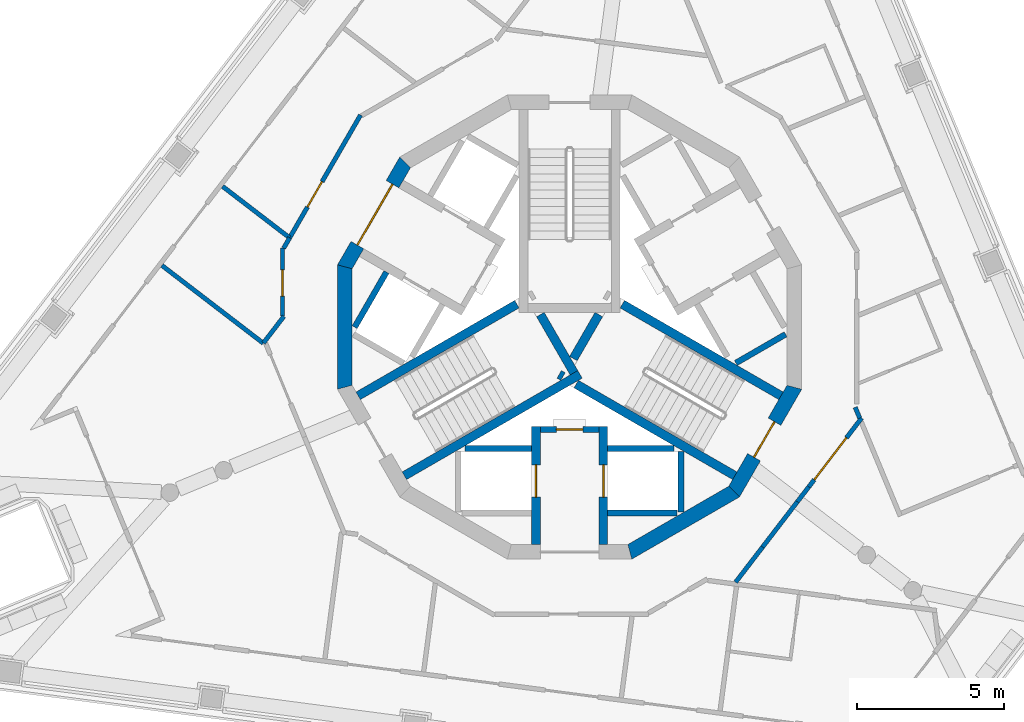
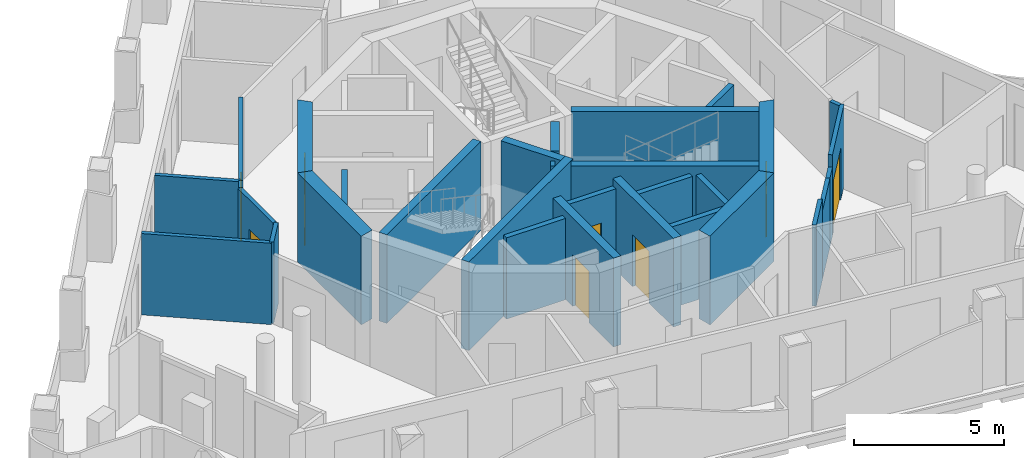
# One storey, part 3 of 12: 31 walls, 8 doors, 8 openings.
"""IFC4 building model written with IfcOpenShell, lengths in metres."""

from ifc_helpers import new_model, si_unit, direction, frame, frame_2d, origin, place, context, subcontext, project, spatial, polyline, rectangle, outline, extrude, material, layer, layer_set, type_object, element, fill, save


model = new_model("IFC4")

# Units and contexts
model_context = context("Model", 3, precision=1e-05, world=origin(), true_north=direction((0.0, 1.0)))
body_context = subcontext(model_context, "Body", "Model", "MODEL_VIEW")
ifc_project = project(units=[si_unit("LENGTHUNIT", "METRE"), si_unit("AREAUNIT", "SQUARE_METRE"), si_unit("VOLUMEUNIT", "CUBIC_METRE"), si_unit("PLANEANGLEUNIT", "RADIAN"), si_unit("MASSUNIT", "GRAM", prefix="KILO")], contexts=[model_context])

# Site, building, storey
site_placement = place(None, origin())
site = spatial("IfcSite", under=ifc_project, at=site_placement, CompositionType="ELEMENT")
building_placement = place(site_placement, origin())
building = spatial("IfcBuilding", under=site, at=building_placement, Name="Trine Commons Tower", CompositionType="ELEMENT")
storey_placement = place(building_placement, frame((0.0, 0.0, 289.800048828125)))
storey = spatial("IfcBuildingStorey", under=building, at=storey_placement, Name="L76", CompositionType="ELEMENT", Elevation=289.800048828125)

# Wall, opening, door
ifc_material_1 = material(Name="Fire-rated gypsum shaft wall system")
ifc_layer_1 = layer(ifc_material_1, 0.199951171875)
ifc_layer_set_1 = layer_set([ifc_layer_1], Name="Fire-rated gypsum shaft wall system")
wall_type_1 = type_object("IfcWallType", Name="Lobby end wall 200 mm, EI 120", PredefinedType="PARTITIONING", material=ifc_layer_set_1)
wall_1_placement = place(storey_placement, frame((79.0, 59.0, 0.0), z_axis=(0.0, 0.0, 1.0), x_axis=(1.0, 0.0, 0.0)))
wall_1 = element("IfcWall", 1, at=wall_1_placement, inside=storey, type_object=wall_type_1, Name="Lobby end wall L76", PredefinedType="PARTITIONING", context=body_context, shape_type="SweptSolid", body=[
    extrude(rectangle(XDim=2.0, YDim=0.199951171875, at=frame_2d((1.0, 0.0))), origin(), (0.0, 0.0, 1.0), 3.300048828125),
])
opening_1_placement = place(wall_1_placement, frame((0.550048828125, 0.0, 0.0)))
opening_1 = element("IfcOpeningElement", 2, at=opening_1_placement, cuts=wall_1, Name="Opening K18.09", PredefinedType="OPENING", context=body_context, shape_type="SweptSolid", body=[
    extrude(rectangle(XDim=0.89990234375, YDim=2.10009765625, at=frame_2d((0.449951171875, 1.050048828125))), frame((0.0, 0.10986328125, 0.0), z_axis=(0.0, -1.0, 0.0), x_axis=(1.0, 0.0, 0.0)), (0.0, 0.0, 1.0), 0.219970703125),
])
ifc_material_2 = material(Name="Steel door leaf, fire-rated", Category="steel")
door_type_1 = type_object("IfcDoorType", Name="Riser access door, single leaf 900 x 2100, FD60", OperationType="SINGLE_SWING_LEFT", PredefinedType="DOOR", material=ifc_material_2)
door_1_placement = place(opening_1_placement, frame((0.89990234375, 0.0, 0.0), z_axis=(0.0, 0.0, 1.0), x_axis=(-1.0, 0.0, 0.0)))
door_1 = element("IfcDoor", 3, at=door_1_placement, inside=storey, type_object=door_type_1, Name="Riser door, Communications riser L76", OperationType="SINGLE_SWING_RIGHT", OverallHeight=2.10009765625, OverallWidth=0.89990234375, PredefinedType="DOOR", context=body_context, shape_type="SweptSolid", body=[
    extrude(rectangle(XDim=0.89990234375, YDim=2.10009765625, at=frame_2d((0.449951171875, 1.050048828125))), frame((0.0, 0.02490234375, 0.0), z_axis=(0.0, -1.0, 0.0), x_axis=(1.0, 0.0, 0.0)), (0.0, 0.0, 1.0), 0.050048828125),
])
fill(opening_1, door_1)

ifc_material_3 = material(Name="Concrete C50/60", Category="concrete")
ifc_layer_2 = layer(ifc_material_3, 0.300048828125)
ifc_layer_set_2 = layer_set([ifc_layer_2], Name="Concrete C50/60")
wall_type_2 = type_object("IfcWallType", Name="RC shear wall 300 mm, C50/60", PredefinedType="SHEAR", material=ifc_layer_set_2)
wall_2_placement = place(storey_placement, frame((78.85009765625, 59.10009765625, 0.0), z_axis=(0.0, 0.0, 1.0), x_axis=(0.0, -1.0, 0.0)))
wall_2 = element("IfcWall", 4, at=wall_2_placement, inside=storey, type_object=wall_type_2, Name="Core cross wall SWD-03 L76", PredefinedType="SHEAR", context=body_context, shape_type="SweptSolid", body=[
    extrude(rectangle(XDim=4.02099609375, YDim=0.300048828125, at=frame_2d((2.010498046875, 0.0))), origin(), (0.0, 0.0, 1.0), 3.599853515625),
])
opening_2_placement = place(wall_2_placement, frame((1.300048828125, 0.0, 0.0)))
opening_2 = element("IfcOpeningElement", 5, at=opening_2_placement, cuts=wall_2, Name="Opening LD10", PredefinedType="OPENING", context=body_context, shape_type="SweptSolid", body=[
    extrude(rectangle(XDim=1.10009765625, YDim=2.10009765625, at=frame_2d((0.550048828125, 1.050048828125))), frame((0.0, 0.159912109375, 0.0), z_axis=(0.0, -1.0, 0.0), x_axis=(1.0, 0.0, 0.0)), (0.0, 0.0, 1.0), 0.320068359375),
])
ifc_material_4 = material(Name="Stainless steel sliding door leaves", Category="steel")
door_type_2 = type_object("IfcDoorType", Name="Lift landing door, centre-opening sliding 1100 x 2100, FD90", OperationType="DOUBLE_DOOR_SLIDING", PredefinedType="DOOR", material=ifc_material_4)
door_2_placement = place(opening_2_placement, origin())
door_2 = element("IfcDoor", 6, at=door_2_placement, inside=storey, type_object=door_type_2, Name="Lift landing door FF2 L76", OperationType="DOUBLE_DOOR_SLIDING", OverallHeight=2.10009765625, OverallWidth=1.10009765625, PredefinedType="DOOR", context=body_context, shape_type="SweptSolid", body=[
    extrude(rectangle(XDim=1.10009765625, YDim=2.10009765625, at=frame_2d((0.550048828125, 1.050048828125))), frame((0.0, 0.02490234375, 0.0), z_axis=(0.0, -1.0, 0.0), x_axis=(1.0, 0.0, 0.0)), (0.0, 0.0, 1.0), 0.050048828125),
])
fill(opening_2, door_2)

wall_3_placement = place(storey_placement, frame((81.14990234375, 59.10009765625, 0.0), z_axis=(0.0, 0.0, 1.0), x_axis=(0.0, -1.0, 0.0)))
wall_3 = element("IfcWall", 7, at=wall_3_placement, inside=storey, type_object=wall_type_2, Name="Core cross wall SWD-04 L76", PredefinedType="SHEAR", context=body_context, shape_type="SweptSolid", body=[
    extrude(rectangle(XDim=4.02099609375, YDim=0.300048828125, at=frame_2d((2.010498046875, 0.0))), origin(), (0.0, 0.0, 1.0), 3.599853515625),
])
opening_3_placement = place(wall_3_placement, frame((1.300048828125, 0.0, 0.0)))
opening_3 = element("IfcOpeningElement", 8, at=opening_3_placement, cuts=wall_3, Name="Opening LD9", PredefinedType="OPENING", context=body_context, shape_type="SweptSolid", body=[
    extrude(rectangle(XDim=1.10009765625, YDim=2.10009765625, at=frame_2d((0.550048828125, 1.050048828125))), frame((0.0, 0.159912109375, 0.0), z_axis=(0.0, -1.0, 0.0), x_axis=(1.0, 0.0, 0.0)), (0.0, 0.0, 1.0), 0.320068359375),
])
door_3_placement = place(opening_3_placement, origin())
door_3 = element("IfcDoor", 9, at=door_3_placement, inside=storey, type_object=door_type_2, Name="Lift landing door FF1 L76", OperationType="DOUBLE_DOOR_SLIDING", OverallHeight=2.10009765625, OverallWidth=1.10009765625, PredefinedType="DOOR", context=body_context, shape_type="SweptSolid", body=[
    extrude(rectangle(XDim=1.10009765625, YDim=2.10009765625, at=frame_2d((0.550048828125, 1.050048828125))), frame((0.0, 0.02490234375, 0.0), z_axis=(0.0, -1.0, 0.0), x_axis=(1.0, 0.0, 0.0)), (0.0, 0.0, 1.0), 0.050048828125),
])
fill(opening_3, door_3)

# Walls
wall_4_placement = place(storey_placement, frame((78.199951171875, 63.280029296875, 0.0), z_axis=(0.0, 0.0, 1.0), x_axis=(-0.866013897511, -0.50001992892, 0.0)))
element("IfcWall", 10, at=wall_4_placement, inside=storey, type_object=wall_type_2, Name="Core cross wall SWD-07 L76", PredefinedType="SHEAR", context=body_context, shape_type="SweptSolid", body=[
    extrude(rectangle(XDim=6.251708984375, YDim=0.300048828125, at=frame_2d((3.1259765625, 0.0))), origin(), (0.0, 0.0, 1.0), 3.599853515625),
])
wall_5_placement = place(storey_placement, frame((79.0029296875, 62.926025390625, 0.0), z_axis=(0.0, 0.0, 1.0), x_axis=(0.499965247104, -0.866045467449, 0.0)))
element("IfcWall", 11, at=wall_5_placement, inside=storey, type_object=wall_type_2, Name="Core cross wall SWD-10 L76", PredefinedType="SHEAR", context=body_context, shape_type="SweptSolid", body=[
    extrude(rectangle(XDim=2.292236328125, YDim=0.300048828125, at=frame_2d((1.14599609375, 0.0))), origin(), (0.0, 0.0, 1.0), 3.599853515625),
])
wall_6_placement = place(storey_placement, frame((79.64599609375, 60.885986328125, 0.0), z_axis=(0.0, 0.0, 1.0), x_axis=(0.867331893649, -0.497730234424, 0.0)))
element("IfcWall", 12, at=wall_6_placement, inside=storey, type_object=wall_type_2, Name="Core cross wall SWD-11 L76", PredefinedType="SHEAR", context=body_context, shape_type="SweptSolid", body=[
    extrude(rectangle(XDim=0.148681640625, YDim=0.300048828125, at=frame_2d((0.07421875, 0.0))), origin(), (0.0, 0.0, 1.0), 3.599853515625),
])
wall_7_placement = place(storey_placement, frame((80.1298828125, 61.424072265625, 0.0), z_axis=(0.0, 0.0, 1.0), x_axis=(0.500014901547, 0.866016800201, 0.0)))
element("IfcWall", 13, at=wall_7_placement, inside=storey, type_object=wall_type_2, Name="Core cross wall SWD-12 L76", PredefinedType="SHEAR", context=body_context, shape_type="SweptSolid", body=[
    extrude(rectangle(XDim=1.734375, YDim=0.300048828125, at=frame_2d((0.8671875, 0.0))), origin(), (0.0, 0.0, 1.0), 3.599853515625),
])
wall_8_placement = place(storey_placement, frame((80.22509765625, 60.552001953125, 0.0), z_axis=(0.0, 0.0, 1.0), x_axis=(0.866004133274, -0.500036839795, 0.0)))
element("IfcWall", 14, at=wall_8_placement, inside=storey, type_object=wall_type_2, Name="Core cross wall SWD-13 L76", PredefinedType="SHEAR", context=body_context, shape_type="SweptSolid", body=[
    extrude(rectangle(XDim=6.25146484375, YDim=0.300048828125, at=frame_2d((3.125732421875, 0.0))), origin(), (0.0, 0.0, 1.0), 3.599853515625),
])
wall_9_placement = place(storey_placement, frame((80.35400390625, 60.885986328125, 0.0), z_axis=(0.0, 0.0, 1.0), x_axis=(-0.86602871973, -0.49999425657, 0.0)))
element("IfcWall", 15, at=wall_9_placement, inside=storey, type_object=wall_type_2, Name="Core cross wall SWD-14 L76", PredefinedType="SHEAR", context=body_context, shape_type="SweptSolid", body=[
    extrude(rectangle(XDim=6.919921875, YDim=0.300048828125, at=frame_2d((3.4599609375, 0.0))), origin(), (0.0, 0.0, 1.0), 3.599853515625),
])
wall_10_placement = place(storey_placement, frame((81.800048828125, 63.280029296875, 0.0), z_axis=(0.0, 0.0, 1.0), x_axis=(0.866013897511, -0.50001992892, 0.0)))
element("IfcWall", 16, at=wall_10_placement, inside=storey, type_object=wall_type_2, Name="Core cross wall SWD-18 L76", PredefinedType="SHEAR", context=body_context, shape_type="SweptSolid", body=[
    extrude(rectangle(XDim=6.251708984375, YDim=0.300048828125, at=frame_2d((3.1259765625, 0.0))), origin(), (0.0, 0.0, 1.0), 3.599853515625),
])

# Wall, opening, door
ifc_layer_3 = layer(ifc_material_3, 0.5)
ifc_layer_set_3 = layer_set([ifc_layer_3], Name="Concrete C50/60")
wall_type_3 = type_object("IfcWallType", Name="RC shear wall 500 mm, C50/60", PredefinedType="SHEAR", material=ifc_layer_set_3)
wall_11_placement = place(storey_placement, frame((74.418212890625, 68.17333984375, 0.0), z_axis=(0.0, 0.0, 1.0), x_axis=(-0.499992968425, -0.866029463428, 0.0)))
wall_11 = element("IfcWall", 17, at=wall_11_placement, inside=storey, type_object=wall_type_3, Name="Core wall CWH-06 L76", PredefinedType="SHEAR", context=body_context, shape_type="SweptSolid", body=[
    extrude(outline(polyline([(0.0, -0.25), (4.24462890625, -0.25), (4.110595703125, 0.25), (0.134033203125, 0.25), (0.0, -0.25)])), origin(), (0.0, 0.0, 1.0), 3.599853515625),
])
opening_4_placement = place(wall_11_placement, frame((0.92236328125, 0.0, 0.0)))
opening_4 = element("IfcOpeningElement", 18, at=opening_4_placement, cuts=wall_11, Name="Opening K18.06", PredefinedType="OPENING", context=body_context, shape_type="SweptSolid", body=[
    extrude(rectangle(XDim=2.39990234375, YDim=2.10009765625, at=frame_2d((1.199951171875, 1.050048828125))), frame((0.0, 0.260009765625, 0.0), z_axis=(0.0, -1.0, 0.0), x_axis=(1.0, 0.0, 0.0)), (0.0, 0.0, 1.0), 0.52001953125),
])
ifc_material_5 = material(Name="Steel door leaves, fire-rated", Category="steel")
door_type_3 = type_object("IfcDoorType", Name="Lobby door, double leaf 2400 x 2100, FD60", OperationType="DOUBLE_DOOR_SINGLE_SWING", PredefinedType="DOOR", material=ifc_material_5)
door_4_placement = place(opening_4_placement, origin())
door_4 = element("IfcDoor", 19, at=door_4_placement, inside=storey, type_object=door_type_3, Name="Lobby door, Passenger lift lobby B L76", OperationType="DOUBLE_DOOR_SINGLE_SWING", OverallHeight=2.10009765625, OverallWidth=2.39990234375, PredefinedType="DOOR", context=body_context, shape_type="SweptSolid", body=[
    extrude(rectangle(XDim=2.39990234375, YDim=2.10009765625, at=frame_2d((1.199951171875, 1.050048828125))), frame((0.0, 0.02490234375, 0.0), z_axis=(0.0, -1.0, 0.0), x_axis=(1.0, 0.0, 0.0)), (0.0, 0.0, 1.0), 0.050048828125),
])
fill(opening_4, door_4)

# Walls
for number, where, z_axis, x_axis, name in (
    (20, (72.329345703125, 64.622314453125, 0.0), (0.0, 0.0, 1.0), (0.0, -1.0, 0.0), "Core wall CWH-07 L76"),
    (21, (81.997314453125, 54.7958984375, 0.0), (0.0, 0.0, 1.0), (0.866029463428, 0.499992968425, 0.0), "Core wall CWH-11 L76"),
):
    element("IfcWall", number, at=place(storey_placement, frame(where, z_axis=z_axis, x_axis=x_axis)), inside=storey, type_object=wall_type_3, Name=name, PredefinedType="SHEAR", context=body_context, shape_type="SweptSolid", body=[
        extrude(outline(polyline([(0.0, -0.25), (4.24462890625, -0.25), (4.110595703125, 0.25), (0.134033203125, 0.25), (0.0, -0.25)])), origin(), (0.0, 0.0, 1.0), 3.599853515625),
    ])

# Wall, opening, door
wall_12_placement = place(storey_placement, frame((85.581787109375, 56.82666015625, 0.0), z_axis=(0.0, 0.0, 1.0), x_axis=(0.499992968425, 0.866029463428, 0.0)))
wall_12 = element("IfcWall", 22, at=wall_12_placement, inside=storey, type_object=wall_type_3, Name="Core wall CWH-12 L76", PredefinedType="SHEAR", context=body_context, shape_type="SweptSolid", body=[
    extrude(outline(polyline([(0.0, -0.25), (4.24462890625, -0.25), (4.110595703125, 0.25), (0.134033203125, 0.25), (0.0, -0.25)])), origin(), (0.0, 0.0, 1.0), 3.599853515625),
])
opening_5_placement = place(wall_12_placement, frame((1.42236328125, 0.0, 0.0)))
opening_5 = element("IfcOpeningElement", 23, at=opening_5_placement, cuts=wall_12, Name="Opening K18.03", PredefinedType="OPENING", context=body_context, shape_type="SweptSolid", body=[
    extrude(rectangle(XDim=1.39990234375, YDim=2.10009765625, at=frame_2d((0.699951171875, 1.050048828125))), frame((0.0, 0.260009765625, 0.0), z_axis=(0.0, -1.0, 0.0), x_axis=(1.0, 0.0, 0.0)), (0.0, 0.0, 1.0), 0.52001953125),
])
door_type_4 = type_object("IfcDoorType", Name="Stair door, double leaf 1400 x 2100, FD90", OperationType="DOUBLE_DOOR_SINGLE_SWING", PredefinedType="DOOR", material=ifc_material_5)
door_5_placement = place(opening_5_placement, origin())
door_5 = element("IfcDoor", 24, at=door_5_placement, inside=storey, type_object=door_type_4, Name="Stair door to Exit stair ST3D L76", OperationType="DOUBLE_DOOR_SINGLE_SWING", OverallHeight=2.10009765625, OverallWidth=1.39990234375, PredefinedType="DOOR", context=body_context, shape_type="SweptSolid", body=[
    extrude(rectangle(XDim=1.39990234375, YDim=2.10009765625, at=frame_2d((0.699951171875, 1.050048828125))), frame((0.0, 0.02490234375, 0.0), z_axis=(0.0, -1.0, 0.0), x_axis=(1.0, 0.0, 0.0)), (0.0, 0.0, 1.0), 0.050048828125),
])
fill(opening_5, door_5)

# Walls
ifc_layer_4 = layer(ifc_material_1, 0.199951171875)
ifc_layer_set_4 = layer_set([ifc_layer_4], Name="Fire-rated gypsum shaft wall system")
wall_type_4 = type_object("IfcWallType", Name="Shaft wall 200 mm, EI 120", PredefinedType="PARTITIONING", material=ifc_layer_set_4)
wall_13_placement = place(storey_placement, frame((73.7509765625, 64.3759765625, 0.0), z_axis=(0.0, 0.0, 1.0), x_axis=(-0.499865263774, -0.866103179807, 0.0)))
element("IfcWall", 25, at=wall_13_placement, inside=storey, type_object=wall_type_4, Name="Shaft wall L76", PredefinedType="PARTITIONING", context=body_context, shape_type="SweptSolid", body=[
    extrude(rectangle(XDim=2.17041015625, YDim=0.199951171875, at=frame_2d((1.085205078125, 0.0))), origin(), (0.0, 0.0, 1.0), 3.300048828125),
])
wall_14_placement = place(storey_placement, frame((78.699951171875, 58.35009765625, 0.0), z_axis=(0.0, 0.0, 1.0), x_axis=(-1.0, 0.0, 0.0)))
element("IfcWall", 26, at=wall_14_placement, inside=storey, type_object=wall_type_4, Name="Shaft wall L76", PredefinedType="PARTITIONING", context=body_context, shape_type="SweptSolid", body=[
    extrude(rectangle(XDim=2.264892578125, YDim=0.199951171875, at=frame_2d((1.13232421875, 0.0))), origin(), (0.0, 0.0, 1.0), 3.300048828125),
])
wall_15_placement = place(storey_placement, frame((81.300048828125, 56.14990234375, 0.0), z_axis=(0.0, 0.0, 1.0), x_axis=(1.0, 0.0, 0.0)))
element("IfcWall", 27, at=wall_15_placement, inside=storey, type_object=wall_type_4, Name="Shaft wall L76", PredefinedType="PARTITIONING", context=body_context, shape_type="SweptSolid", body=[
    extrude(rectangle(XDim=2.368896484375, YDim=0.199951171875, at=frame_2d((1.1845703125, 0.0))), origin(), (0.0, 0.0, 1.0), 3.300048828125),
])
wall_16_placement = place(storey_placement, frame((81.300048828125, 58.35009765625, 0.0), z_axis=(0.0, 0.0, 1.0), x_axis=(1.0, 0.0, 0.0)))
element("IfcWall", 28, at=wall_16_placement, inside=storey, type_object=wall_type_4, Name="Shaft wall L76", PredefinedType="PARTITIONING", context=body_context, shape_type="SweptSolid", body=[
    extrude(rectangle(XDim=2.264892578125, YDim=0.199951171875, at=frame_2d((1.13232421875, 0.0))), origin(), (0.0, 0.0, 1.0), 3.300048828125),
])
wall_17_placement = place(storey_placement, frame((83.800048828125, 58.257080078125, 0.0), z_axis=(0.0, 0.0, 1.0), x_axis=(0.0, -1.0, 0.0)))
element("IfcWall", 29, at=wall_17_placement, inside=storey, type_object=wall_type_4, Name="Shaft wall L76", PredefinedType="PARTITIONING", context=body_context, shape_type="SweptSolid", body=[
    extrude(rectangle(XDim=2.073974609375, YDim=0.199951171875, at=frame_2d((1.037109375, 0.0))), origin(), (0.0, 0.0, 1.0), 3.300048828125),
])
wall_18_placement = place(storey_placement, frame((85.675048828125, 61.27294921875, 0.0), z_axis=(0.0, 0.0, 1.0), x_axis=(0.86585547495, 0.500294209939, 0.0)))
element("IfcWall", 30, at=wall_18_placement, inside=storey, type_object=wall_type_4, Name="Shaft wall L76", PredefinedType="PARTITIONING", context=body_context, shape_type="SweptSolid", body=[
    extrude(rectangle(XDim=1.958740234375, YDim=0.199951171875, at=frame_2d((0.9794921875, 0.0))), origin(), (0.0, 0.0, 1.0), 3.300048828125),
])
ifc_material_6 = material(Name="Gypsum plasterboard on steel stud", Category="steel")
ifc_layer_5 = layer(ifc_material_6, 0.14990234375)
ifc_layer_set_5 = layer_set([ifc_layer_5], Name="Gypsum plasterboard on steel stud")
wall_type_5 = type_object("IfcWallType", Name="Unit and corridor wall 150 mm, EI 60", PredefinedType="PARTITIONING", material=ifc_layer_set_5)
wall_19_placement = place(storey_placement, frame((66.087646484375, 64.6025390625, 0.0), z_axis=(0.0, 0.0, 1.0), x_axis=(0.793353973565, -0.60876060371, 0.0)))
element("IfcWall", 31, at=wall_19_placement, inside=storey, type_object=wall_type_5, Name="Partition 001", PredefinedType="PARTITIONING", context=body_context, shape_type="SweptSolid", body=[
    extrude(rectangle(XDim=4.360595703125, YDim=0.14990234375, at=frame_2d((2.18017578125, 0.0))), origin(), (0.0, 0.0, 1.0), 3.300048828125),
])
wall_20_placement = place(storey_placement, frame((68.15771484375, 67.300537109375, 0.0), z_axis=(0.0, 0.0, 1.0), x_axis=(0.793362540986, -0.608749438242, 0.0)))
element("IfcWall", 32, at=wall_20_placement, inside=storey, type_object=wall_type_5, Name="Partition 002", PredefinedType="PARTITIONING", context=body_context, shape_type="SweptSolid", body=[
    extrude(rectangle(XDim=2.885498046875, YDim=0.14990234375, at=frame_2d((1.44287109375, 0.0))), origin(), (0.0, 0.0, 1.0), 3.300048828125),
])
wall_21_placement = place(storey_placement, frame((69.552490234375, 61.95556640625, 0.0), z_axis=(0.0, 0.0, 1.0), x_axis=(0.608525507611, 0.793534313427, 0.0)))
element("IfcWall", 33, at=wall_21_placement, inside=storey, type_object=wall_type_5, Name="Partition 003", PredefinedType="PARTITIONING", context=body_context, shape_type="SweptSolid", body=[
    extrude(rectangle(XDim=1.1455078125, YDim=0.14990234375, at=frame_2d((0.57275390625, 0.0))), origin(), (0.0, 0.0, 1.0), 3.300048828125),
])

# Wall, opening, door
wall_22_placement = place(storey_placement, frame((70.2041015625, 62.8798828125, 0.0), z_axis=(0.0, 0.0, 1.0), x_axis=(0.0, 1.0, 0.0)))
wall_22 = element("IfcWall", 34, at=wall_22_placement, inside=storey, type_object=wall_type_5, Name="Partition 005", PredefinedType="PARTITIONING", context=body_context, shape_type="SweptSolid", body=[
    extrude(rectangle(XDim=2.320068359375, YDim=0.14990234375, at=frame_2d((1.16015625, 0.0))), origin(), (0.0, 0.0, 1.0), 3.300048828125),
])
opening_6_placement = place(wall_22_placement, frame((0.672607421875, 0.0, 0.0)))
opening_6 = element("IfcOpeningElement", 35, at=opening_6_placement, cuts=wall_22, Name="Opening D-8B04", PredefinedType="OPENING", context=body_context, shape_type="SweptSolid", body=[
    extrude(rectangle(XDim=0.89990234375, YDim=2.10009765625, at=frame_2d((0.449951171875, 1.050048828125))), frame((0.0, 0.0849609375, 0.0), z_axis=(0.0, -1.0, 0.0), x_axis=(1.0, 0.0, 0.0)), (0.0, 0.0, 1.0), 0.169921875),
])
ifc_material_7 = material(Name="Timber fire door set", Category="wood")
door_type_5 = type_object("IfcDoorType", Name="Service door 900 x 2100, FD30S", OperationType="NOTDEFINED", PredefinedType="DOOR", material=ifc_material_7)
door_6_placement = place(opening_6_placement, origin())
door_6 = element("IfcDoor", 36, at=door_6_placement, inside=storey, type_object=door_type_5, Name="Door D-8B04", OperationType="SINGLE_SWING_LEFT", OverallHeight=2.10009765625, OverallWidth=0.89990234375, PredefinedType="DOOR", context=body_context, shape_type="SweptSolid", body=[
    extrude(rectangle(XDim=0.89990234375, YDim=2.10009765625, at=frame_2d((0.449951171875, 1.050048828125))), frame((0.0, 0.02490234375, 0.0), z_axis=(0.0, -1.0, 0.0), x_axis=(1.0, 0.0, 0.0)), (0.0, 0.0, 1.0), 0.050048828125),
])
fill(opening_6, door_6)

# Wall
wall_23_placement = place(storey_placement, frame((70.241455078125, 65.18994140625, 0.0), z_axis=(0.0, 0.0, 1.0), x_axis=(0.499569084189, 0.866274050242, 0.0)))
element("IfcWall", 37, at=wall_23_placement, inside=storey, type_object=wall_type_5, Name="Partition 006", PredefinedType="PARTITIONING", context=body_context, shape_type="SweptSolid", body=[
    extrude(rectangle(XDim=0.413330078125, YDim=0.14990234375, at=frame_2d((0.20654296875, 0.0))), origin(), (0.0, 0.0, 1.0), 3.300048828125),
])

# Wall, opening, door
wall_24_placement = place(storey_placement, frame((70.444091796875, 65.541015625, 0.0), z_axis=(0.0, 0.0, 1.0), x_axis=(0.500074377092, 0.865982457891, 0.0)))
wall_24 = element("IfcWall", 38, at=wall_24_placement, inside=storey, type_object=wall_type_5, Name="Partition 007", PredefinedType="PARTITIONING", context=body_context, shape_type="SweptSolid", body=[
    extrude(rectangle(XDim=4.843994140625, YDim=0.14990234375, at=frame_2d((2.421875, 0.0))), origin(), (0.0, 0.0, 1.0), 3.300048828125),
])
opening_7_placement = place(wall_24_placement, frame((1.21923828125, 0.0, 0.0)))
opening_7 = element("IfcOpeningElement", 39, at=opening_7_placement, cuts=wall_24, Name="Opening D-8B05", PredefinedType="OPENING", context=body_context, shape_type="SweptSolid", body=[
    extrude(rectangle(XDim=1.0, YDim=2.10009765625, at=frame_2d((0.5, 1.050048828125))), frame((0.0, 0.0849609375, 0.0), z_axis=(0.0, -1.0, 0.0), x_axis=(1.0, 0.0, 0.0)), (0.0, 0.0, 1.0), 0.169921875),
])
ifc_material_8 = material(Name="Painted timber", Category="wood")
door_type_6 = type_object("IfcDoorType", Name="Amenity room door 1000 x 2100, NOT RATED", OperationType="NOTDEFINED", PredefinedType="DOOR", material=ifc_material_8)
door_7_placement = place(opening_7_placement, origin())
door_7 = element("IfcDoor", 40, at=door_7_placement, inside=storey, type_object=door_type_6, Name="Door D-8B05", OperationType="SINGLE_SWING_LEFT", OverallHeight=2.10009765625, OverallWidth=1.0, PredefinedType="DOOR", context=body_context, shape_type="SweptSolid", body=[
    extrude(rectangle(XDim=1.0, YDim=2.10009765625, at=frame_2d((0.5, 1.050048828125))), frame((0.0, 0.02490234375, 0.0), z_axis=(0.0, -1.0, 0.0), x_axis=(1.0, 0.0, 0.0)), (0.0, 0.0, 1.0), 0.050048828125),
])
fill(opening_7, door_7)

# Walls
wall_25_placement = place(storey_placement, frame((85.66650390625, 53.79345703125, 0.0), z_axis=(0.0, 0.0, 1.0), x_axis=(0.608584360589, 0.79348917828, 0.0)))
element("IfcWall", 41, at=wall_25_placement, inside=storey, type_object=wall_type_5, Name="Partition 034", PredefinedType="PARTITIONING", context=body_context, shape_type="SweptSolid", body=[
    extrude(rectangle(XDim=1.50927734375, YDim=0.14990234375, at=frame_2d((0.754638671875, 0.0))), origin(), (0.0, 0.0, 1.0), 3.300048828125),
])
wall_26_placement = place(storey_placement, frame((86.5849609375, 54.990966796875, 0.0), z_axis=(0.0, 0.0, 1.0), x_axis=(0.608644571119, 0.793442994832, 0.0)))
element("IfcWall", 42, at=wall_26_placement, inside=storey, type_object=wall_type_5, Name="Partition 035", PredefinedType="PARTITIONING", context=body_context, shape_type="SweptSolid", body=[
    extrude(rectangle(XDim=1.94873046875, YDim=0.14990234375, at=frame_2d((0.974365234375, 0.0))), origin(), (0.0, 0.0, 1.0), 2.800048828125),
])
wall_27_placement = place(storey_placement, frame((87.77099609375, 56.537109375, 0.0), z_axis=(0.0, 0.0, 1.0), x_axis=(0.60945333551, 0.792821942075, 0.0)))
element("IfcWall", 43, at=wall_27_placement, inside=storey, type_object=wall_type_5, Name="Partition 039", PredefinedType="PARTITIONING", context=body_context, shape_type="SweptSolid", body=[
    extrude(rectangle(XDim=0.641845703125, YDim=0.14990234375, at=frame_2d((0.32080078125, 0.0))), origin(), (0.0, 0.0, 1.0), 2.800048828125),
])

# Wall, opening, door
wall_28_placement = place(storey_placement, frame((88.1630859375, 57.047119140625, 0.0), z_axis=(0.0, 0.0, 1.0), x_axis=(0.608858566232, 0.793278794829, 0.0)))
wall_28 = element("IfcWall", 44, at=wall_28_placement, inside=storey, type_object=wall_type_5, Name="Partition 041", PredefinedType="PARTITIONING", context=body_context, shape_type="SweptSolid", body=[
    extrude(rectangle(XDim=2.964111328125, YDim=0.14990234375, at=frame_2d((1.48193359375, 0.0))), origin(), (0.0, 0.0, 1.0), 3.300048828125),
])
opening_8_placement = place(wall_28_placement, frame((0.307861328125, 0.0, 0.0)))
opening_8 = element("IfcOpeningElement", 45, at=opening_8_placement, cuts=wall_28, Name="Opening D-8B02", PredefinedType="OPENING", context=body_context, shape_type="SweptSolid", body=[
    extrude(rectangle(XDim=1.800048828125, YDim=2.10009765625, at=frame_2d((0.89990234375, 1.050048828125))), frame((0.0, 0.0849609375, 0.0), z_axis=(0.0, -1.0, 0.0), x_axis=(1.0, 0.0, 0.0)), (0.0, 0.0, 1.0), 0.169921875),
])
door_type_7 = type_object("IfcDoorType", Name="Cluster entrance door 1800 x 2100, double leaf, FD30S", OperationType="DOUBLE_DOOR_DOUBLE_SWING", PredefinedType="DOOR", material=ifc_material_7)
door_8_placement = place(opening_8_placement, frame((1.800048828125, 0.0, 0.0), z_axis=(0.0, 0.0, 1.0), x_axis=(-1.0, 0.0, 0.0)))
door_8 = element("IfcDoor", 46, at=door_8_placement, inside=storey, type_object=door_type_7, Name="Door D-8B02", OperationType="DOUBLE_DOOR_DOUBLE_SWING", OverallHeight=2.10009765625, OverallWidth=1.800048828125, PredefinedType="DOOR", context=body_context, shape_type="SweptSolid", body=[
    extrude(rectangle(XDim=1.800048828125, YDim=2.10009765625, at=frame_2d((0.89990234375, 1.050048828125))), frame((0.0, 0.02490234375, 0.0), z_axis=(0.0, -1.0, 0.0), x_axis=(1.0, 0.0, 0.0)), (0.0, 0.0, 1.0), 0.050048828125),
])
fill(opening_8, door_8)

# Wall
wall_29_placement = place(storey_placement, frame((89.747802734375, 59.760498046875, 0.0), z_axis=(0.0, 0.0, 1.0), x_axis=(0.382100188932, -0.924120904221, 0.0)))
element("IfcWall", 47, at=wall_29_placement, inside=storey, type_object=wall_type_5, Name="Partition 045", PredefinedType="PARTITIONING", context=body_context, shape_type="SweptSolid", body=[
    extrude(rectangle(XDim=0.39990234375, YDim=0.14990234375, at=frame_2d((0.199951171875, 0.0))), origin(), (0.0, 0.0, 1.0), 3.300048828125),
])

save(model, "model.ifc")
